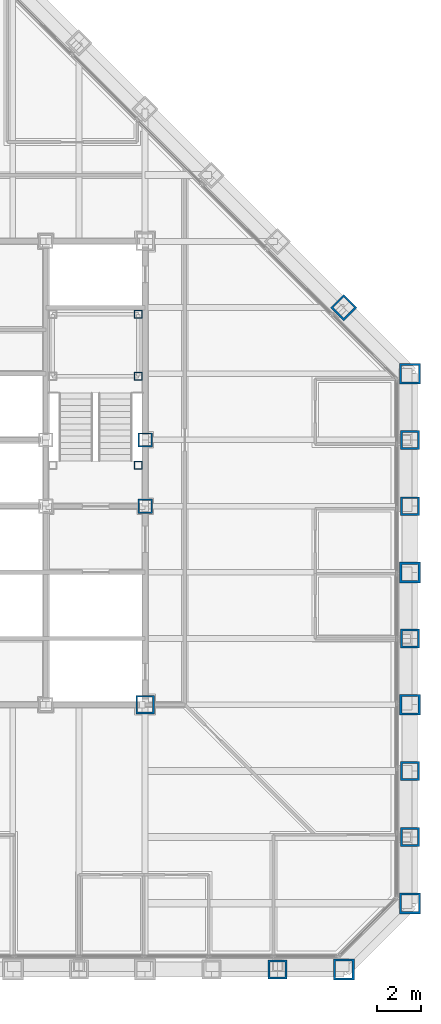
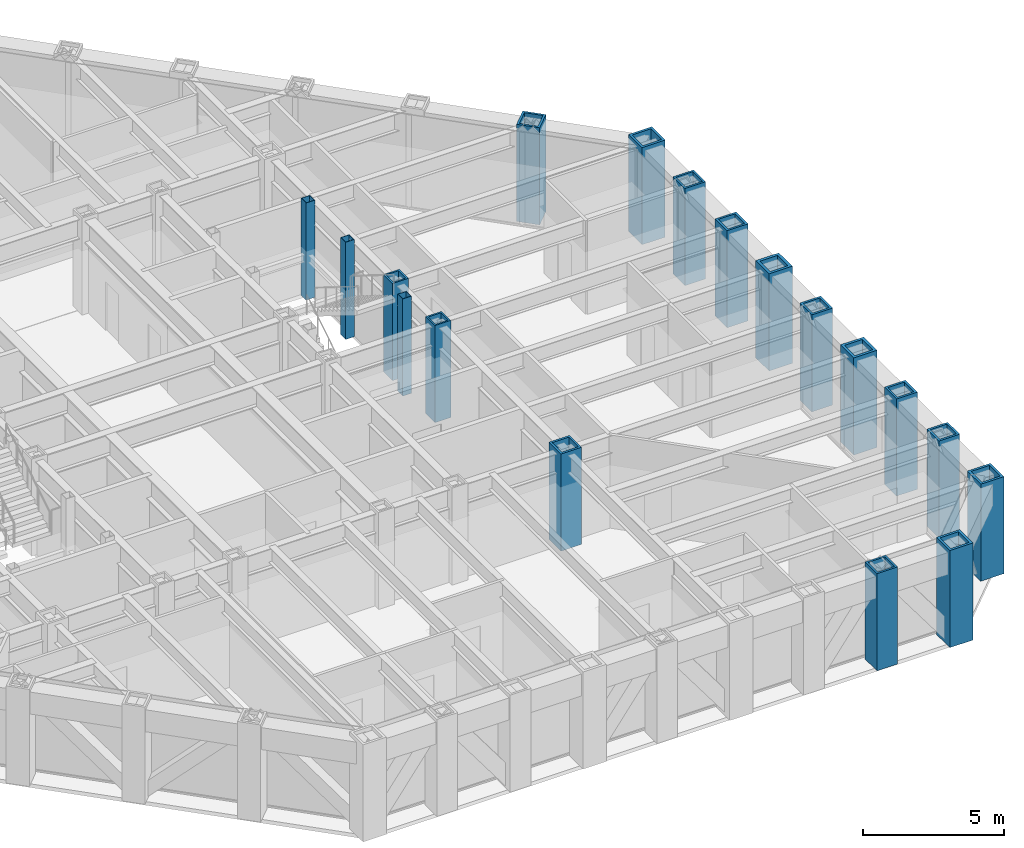
# One storey, part 2 of 17: 18 columns.
"""IFC4 building model written with IfcOpenShell, lengths in metres."""

from ifc_helpers import new_model, si_unit, direction, frame, origin, origin_2d, place, context, subcontext, project, spatial, hollow_rectangle, extrude, material, material_profile, profile_set, type_object, element, save


model = new_model("IFC4")

# Units and contexts
model_context = context("Model", 3, precision=1e-05, world=origin(), true_north=direction((0.0, 1.0)))
body_context = subcontext(model_context, "Body", "Model", "MODEL_VIEW")
ifc_project = project(units=[si_unit("LENGTHUNIT", "METRE"), si_unit("AREAUNIT", "SQUARE_METRE"), si_unit("VOLUMEUNIT", "CUBIC_METRE"), si_unit("PLANEANGLEUNIT", "RADIAN"), si_unit("MASSUNIT", "GRAM", prefix="KILO")], contexts=[model_context])

# Site, building, storey
site_placement = place(None, origin())
site = spatial("IfcSite", under=ifc_project, at=site_placement, CompositionType="ELEMENT")
building_placement = place(site_placement, origin())
building = spatial("IfcBuilding", under=site, at=building_placement, Name="Chuquiago Exchange Tower", CompositionType="ELEMENT")
storey_placement = place(building_placement, frame((0.0, 0.0, 165.60009765625)))
storey = spatial("IfcBuildingStorey", under=building, at=storey_placement, Name="L36", CompositionType="ELEMENT", Elevation=165.60009765625)

# Columns
ifc_material_1 = material(Name="Steel ASTM A572 Grade 50", Category="steel")
ifc_material_profile_1 = material_profile(ifc_material_1, hollow_rectangle(XDim=0.85009765625, YDim=0.85009765625, WallThickness=0.0849609375, at=origin_2d()), Name="BOX850X850X85")
ifc_profile_set_1 = profile_set([ifc_material_profile_1], Name="Steel ASTM A572 Grade 50")
column_type_1 = type_object("IfcColumnType", Name="C6 BOX850X850X85", PredefinedType="COLUMN", material=ifc_profile_set_1)
for number, where, z_axis, x_axis, name in (
    (1, (39.0, 0.0, 0.0), (0.0, 0.0, 1.0), (0.0, -1.0, 0.0), "COL-L36-39_0"),
    (2, (45.0, 6.0, 0.0), (0.0, 0.0, 1.0), (1.0, 0.0, 0.0), "COL-L36-45_6"),
    (3, (45.0, 9.0, 0.0), (0.0, 0.0, 1.0), (1.0, 0.0, 0.0), "COL-L36-45_9"),
    (4, (45.0, 15.0, 0.0), (0.0, 0.0, 1.0), (1.0, 0.0, 0.0), "COL-L36-45_15"),
    (5, (45.0, 21.0, 0.0), (0.0, 0.0, 1.0), (1.0, 0.0, 0.0), "COL-L36-45_21"),
    (6, (45.0, 24.0, 0.0), (0.0, 0.0, 1.0), (1.0, 0.0, 0.0), "COL-L36-45_24"),
    (7, (42.0, 30.0, 0.0), (0.0, 0.0, 1.0), (0.707106781187, 0.707106781187, 0.0), "COL-L36-42_30"),
):
    element("IfcColumn", number, at=place(storey_placement, frame(where, z_axis=z_axis, x_axis=x_axis)), inside=storey, type_object=column_type_1, Name=name, PredefinedType="COLUMN", context=body_context, shape_type="SweptSolid", body=[
        extrude(hollow_rectangle(XDim=0.85009765625, YDim=0.85009765625, WallThickness=0.0849609375, at=origin_2d()), origin(), (0.0, 0.0, 1.0), 4.199951171875),
    ])
ifc_material_2 = material(Name="Steel ASTM A572 Grade 50", Category="steel")
ifc_material_profile_2 = material_profile(ifc_material_2, hollow_rectangle(XDim=0.85009765625, YDim=0.85009765625, WallThickness=0.0849609375, at=origin_2d()), Name="BOX850X850X85")
ifc_profile_set_2 = profile_set([ifc_material_profile_2], Name="Steel ASTM A572 Grade 50")
column_type_2 = type_object("IfcColumnType", Name="CC6 BOX850X850X85", PredefinedType="COLUMN", material=ifc_profile_set_2)
column_placement = place(storey_placement, frame((33.0, 12.0, 0.0), z_axis=(0.0, 0.0, 1.0), x_axis=(1.0, 0.0, 0.0)))
element("IfcColumn", 8, at=column_placement, inside=storey, type_object=column_type_2, Name="CCOL-L36-33_12", PredefinedType="COLUMN", context=body_context, shape_type="SweptSolid", body=[
    extrude(hollow_rectangle(XDim=0.85009765625, YDim=0.85009765625, WallThickness=0.0849609375, at=origin_2d()), origin(), (0.0, 0.0, 1.0), 4.199951171875),
])
ifc_material_3 = material(Name="Steel ASTM A572 Grade 50", Category="steel")
ifc_material_profile_3 = material_profile(ifc_material_3, hollow_rectangle(XDim=0.64990234375, YDim=0.64990234375, WallThickness=0.06494140625, at=origin_2d()), Name="BOX650X650X65")
ifc_profile_set_3 = profile_set([ifc_material_profile_3], Name="Steel ASTM A572 Grade 50")
column_type_3 = type_object("IfcColumnType", Name="CC7 BOX650X650X65", PredefinedType="COLUMN", material=ifc_profile_set_3)
for number, where, z_axis, x_axis, name in (
    (9, (33.0, 21.0, 0.0), (0.0, 0.0, 1.0), (1.0, 0.0, 0.0), "CCOL-L36-33_21"),
    (10, (33.0, 24.0, 0.0), (0.0, 0.0, 1.0), (1.0, 0.0, 0.0), "CCOL-L36-33_24"),
):
    element("IfcColumn", number, at=place(storey_placement, frame(where, z_axis=z_axis, x_axis=x_axis)), inside=storey, type_object=column_type_3, Name=name, PredefinedType="COLUMN", context=body_context, shape_type="SweptSolid", body=[
        extrude(hollow_rectangle(XDim=0.64990234375, YDim=0.64990234375, WallThickness=0.06494140625, at=origin_2d()), origin(), (0.0, 0.0, 1.0), 4.199951171875),
    ])
ifc_material_4 = material(Name="Steel ASTM A572 Grade 50", Category="steel")
ifc_material_profile_4 = material_profile(ifc_material_4, hollow_rectangle(XDim=0.949951171875, YDim=0.949951171875, WallThickness=0.094970703125, at=origin_2d()), Name="BOX950X950X95")
ifc_profile_set_4 = profile_set([ifc_material_profile_4], Name="Steel ASTM A572 Grade 50")
column_type_4 = type_object("IfcColumnType", Name="CN1 BOX950X950X95", PredefinedType="COLUMN", material=ifc_profile_set_4)
for number, where, z_axis, x_axis, name in (
    (11, (42.0, 0.0, 0.0), (0.0, 0.0, 1.0), (0.0, -1.0, 0.0), "COL-L36-42_0"),
    (12, (45.0, 3.0, 0.0), (0.0, 0.0, 1.0), (1.0, 0.0, 0.0), "COL-L36-45_3"),
    (13, (45.0, 27.0, 0.0), (0.0, 0.0, 1.0), (1.0, 0.0, 0.0), "COL-L36-45_27"),
):
    element("IfcColumn", number, at=place(storey_placement, frame(where, z_axis=z_axis, x_axis=x_axis)), inside=storey, type_object=column_type_4, Name=name, PredefinedType="COLUMN", context=body_context, shape_type="SweptSolid", body=[
        extrude(hollow_rectangle(XDim=0.949951171875, YDim=0.949951171875, WallThickness=0.094970703125, at=origin_2d()), origin(), (0.0, 0.0, 1.0), 4.199951171875),
    ])
ifc_material_5 = material(Name="Steel ASTM A572 Grade 42", Category="steel")
ifc_material_profile_5 = material_profile(ifc_material_5, hollow_rectangle(XDim=0.949951171875, YDim=0.949951171875, WallThickness=0.110107421875, at=origin_2d()), Name="BOX950X950X110")
ifc_profile_set_5 = profile_set([ifc_material_profile_5], Name="Steel ASTM A572 Grade 42")
column_type_5 = type_object("IfcColumnType", Name="CT1 BOX950X950X110", PredefinedType="COLUMN", material=ifc_profile_set_5)
for number, where, z_axis, x_axis, name in (
    (14, (45.0, 12.0, 0.0), (0.0, 0.0, 1.0), (1.0, 0.0, 0.0), "COL-L36-45_12"),
    (15, (45.0, 18.0, 0.0), (0.0, 0.0, 1.0), (1.0, 0.0, 0.0), "COL-L36-45_18"),
):
    element("IfcColumn", number, at=place(storey_placement, frame(where, z_axis=z_axis, x_axis=x_axis)), inside=storey, type_object=column_type_5, Name=name, PredefinedType="COLUMN", context=body_context, shape_type="SweptSolid", body=[
        extrude(hollow_rectangle(XDim=0.949951171875, YDim=0.949951171875, WallThickness=0.110107421875, at=origin_2d()), origin(), (0.0, 0.0, 1.0), 4.199951171875),
    ])
ifc_material_6 = material(Name="Steel ASTM A500 Grade C", Category="steel")
ifc_material_profile_6 = material_profile(ifc_material_6, hollow_rectangle(XDim=0.355712890625, YDim=0.355712890625, WallThickness=0.0146484375, at=origin_2d()), Name="HSS14X14X5/8")
ifc_profile_set_6 = profile_set([ifc_material_profile_6], Name="Steel ASTM A500 Grade C")
column_type_6 = type_object("IfcColumnType", Name="PT2 HSS14X14X5/8", PredefinedType="COLUMN", material=ifc_profile_set_6)
for number, where, z_axis, x_axis, name in (
    (16, (32.68994140625, 29.68994140625, 0.0), (0.0, 0.0, 1.0), (1.0, 0.0, 0.0), "Stair ST2 L36 landing post"),
    (17, (32.68994140625, 26.889892578125, 0.0), (0.0, 0.0, 1.0), (1.0, 0.0, 0.0), "Stair ST2 L36 landing post"),
    (18, (32.68994140625, 22.85009765625, 0.0), (0.0, 0.0, 1.0), (1.0, 0.0, 0.0), "Stair ST2 L36 landing post"),
):
    element("IfcColumn", number, at=place(storey_placement, frame(where, z_axis=z_axis, x_axis=x_axis)), inside=storey, type_object=column_type_6, Name=name, PredefinedType="COLUMN", context=body_context, shape_type="SweptSolid", body=[
        extrude(hollow_rectangle(XDim=0.355712890625, YDim=0.355712890625, WallThickness=0.0146484375, at=origin_2d()), origin(), (0.0, 0.0, 1.0), 4.199951171875),
    ])

save(model, "model.ifc")
